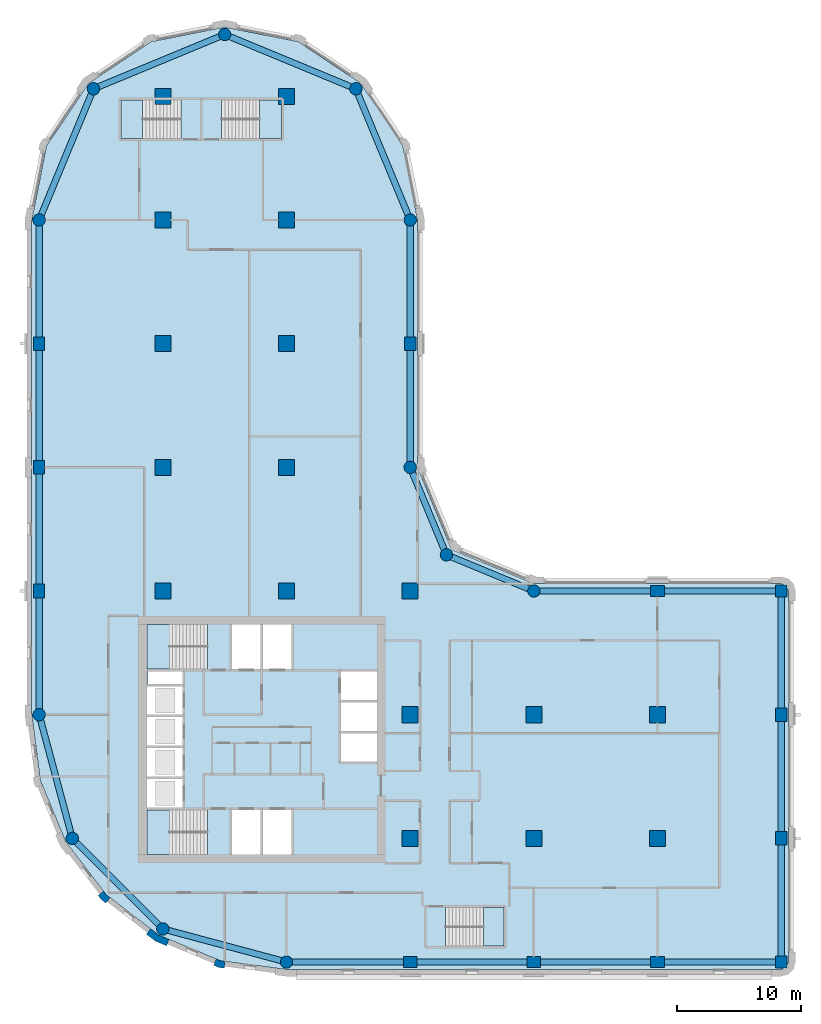
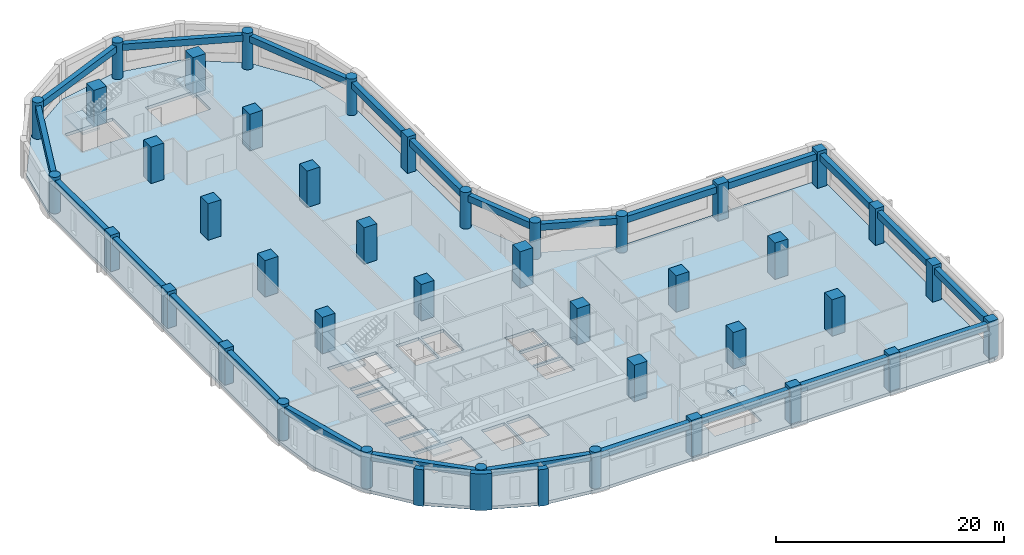
# One storey, part 1 of 9: 41 columns, 24 beams, 6 slabs, 3 walls, 5 elements without a shape of their own.
"""IFC4 building model written with IfcOpenShell, lengths in metres."""

from ifc_helpers import new_model, si_unit, direction, frame, origin, origin_2d, place, context, subcontext, project, spatial, polyline, rectangle, circle, outline, extrude, material, layer, layer_set, material_profile, profile_set, type_object, element, aggregate, save


model = new_model("IFC4")

# Units and contexts
model_context = context("Model", 3, precision=1e-05, world=origin(), true_north=direction((0.0, 1.0)))
body_context = subcontext(model_context, "Body", "Model", "MODEL_VIEW")
ifc_project = project(units=[si_unit("LENGTHUNIT", "METRE"), si_unit("AREAUNIT", "SQUARE_METRE"), si_unit("VOLUMEUNIT", "CUBIC_METRE"), si_unit("PLANEANGLEUNIT", "RADIAN"), si_unit("MASSUNIT", "GRAM", prefix="KILO")], contexts=[model_context])

# Site, building, storey
site_placement = place(None, origin())
site = spatial("IfcSite", under=ifc_project, at=site_placement, CompositionType="ELEMENT")
building_placement = place(site_placement, origin())
building = spatial("IfcBuilding", under=site, at=building_placement, Name="Qaws Garden Tower", CompositionType="ELEMENT")
storey_placement = place(building_placement, frame((0.0, 0.0, 174.60009765625)))
storey = spatial("IfcBuildingStorey", under=building, at=storey_placement, Name="L42", CompositionType="ELEMENT", Elevation=174.60009765625)

# Columns
ifc_material_1 = material(Name="Concrete C70", Category="concrete")
ifc_material_profile_1 = material_profile(ifc_material_1, rectangle(XDim=1.10009765625, YDim=0.89990234375, at=origin_2d()), Name="RC 1100x900")
ifc_profile_set_1 = profile_set([ifc_material_profile_1], Name="Concrete C70")
column_type_1 = type_object("IfcColumnType", Name="Column RC 1100x900 C70", PredefinedType="COLUMN", material=ifc_profile_set_1)
for number, where, z_axis, x_axis, name in (
    (1, (30.0, 0.0, 0.0), (0.0, 0.0, 1.0), (1.0, 0.0, 0.0), "Column L42-002"),
    (2, (40.0, 0.0, 0.0), (0.0, 0.0, 1.0), (1.0, 0.0, 0.0), "Column L42-003"),
    (3, (50.0, 0.0, 0.0), (0.0, 0.0, 1.0), (1.0, 0.0, 0.0), "Column L42-004"),
    (4, (60.0, 10.0, 0.0), (0.0, 0.0, 1.0), (0.0, 1.0, 0.0), "Column L42-006"),
    (5, (60.0, 20.0, 0.0), (0.0, 0.0, 1.0), (0.0, 1.0, 0.0), "Column L42-007"),
    (6, (50.0, 30.0, 0.0), (0.0, 0.0, 1.0), (1.0, 0.0, 0.0), "Column L42-009"),
    (7, (30.0, 50.0, 0.0), (0.0, 0.0, 1.0), (0.0, 1.0, 0.0), "Column L42-013"),
    (8, (0.0, 50.0, 0.0), (0.0, 0.0, 1.0), (0.0, 1.0, 0.0), "Column L42-019"),
    (9, (0.0, 40.0, 0.0), (0.0, 0.0, 1.0), (0.0, 1.0, 0.0), "Column L42-020"),
    (10, (0.0, 30.0, 0.0), (0.0, 0.0, 1.0), (0.0, 1.0, 0.0), "Column L42-021"),
):
    element("IfcColumn", number, at=place(storey_placement, frame(where, z_axis=z_axis, x_axis=x_axis)), inside=storey, type_object=column_type_1, Name=name, PredefinedType="COLUMN", context=body_context, shape_type="SweptSolid", body=[
        extrude(rectangle(XDim=1.10009765625, YDim=0.89990234375, at=origin_2d()), origin(), (0.0, 0.0, 1.0), 3.89990234375),
    ])
ifc_material_2 = material(Name="Concrete C70", Category="concrete")
ifc_material_profile_2 = material_profile(ifc_material_2, rectangle(XDim=1.300048828125, YDim=1.300048828125, at=origin_2d()), Name="RC 1300x1300")
ifc_profile_set_2 = profile_set([ifc_material_profile_2], Name="Concrete C70")
column_type_2 = type_object("IfcColumnType", Name="Column RC 1300x1300 C70", PredefinedType="COLUMN", material=ifc_profile_set_2)
for number, where, z_axis, x_axis, name in (
    (11, (10.0, 30.0, 0.0), (0.0, 0.0, 1.0), (1.0, 0.0, 0.0), "Column L42-025"),
    (12, (10.0, 40.0, 0.0), (0.0, 0.0, 1.0), (1.0, 0.0, 0.0), "Column L42-026"),
    (13, (10.0, 50.0, 0.0), (0.0, 0.0, 1.0), (1.0, 0.0, 0.0), "Column L42-027"),
    (14, (10.0, 60.0, 0.0), (0.0, 0.0, 1.0), (1.0, 0.0, 0.0), "Column L42-028"),
    (15, (10.0, 70.0, 0.0), (0.0, 0.0, 1.0), (1.0, 0.0, 0.0), "Column L42-029"),
    (16, (20.0, 30.0, 0.0), (0.0, 0.0, 1.0), (1.0, 0.0, 0.0), "Column L42-030"),
    (17, (20.0, 40.0, 0.0), (0.0, 0.0, 1.0), (1.0, 0.0, 0.0), "Column L42-031"),
    (18, (20.0, 50.0, 0.0), (0.0, 0.0, 1.0), (1.0, 0.0, 0.0), "Column L42-032"),
    (19, (20.0, 60.0, 0.0), (0.0, 0.0, 1.0), (1.0, 0.0, 0.0), "Column L42-033"),
    (20, (20.0, 70.0, 0.0), (0.0, 0.0, 1.0), (1.0, 0.0, 0.0), "Column L42-034"),
    (21, (30.0, 10.0, 0.0), (0.0, 0.0, 1.0), (1.0, 0.0, 0.0), "Column L42-035"),
    (22, (30.0, 20.0, 0.0), (0.0, 0.0, 1.0), (1.0, 0.0, 0.0), "Column L42-036"),
    (23, (30.0, 30.0, 0.0), (0.0, 0.0, 1.0), (1.0, 0.0, 0.0), "Column L42-037"),
    (24, (40.0, 10.0, 0.0), (0.0, 0.0, 1.0), (1.0, 0.0, 0.0), "Column L42-038"),
    (25, (40.0, 20.0, 0.0), (0.0, 0.0, 1.0), (1.0, 0.0, 0.0), "Column L42-039"),
    (26, (50.0, 10.0, 0.0), (0.0, 0.0, 1.0), (1.0, 0.0, 0.0), "Column L42-040"),
    (27, (50.0, 20.0, 0.0), (0.0, 0.0, 1.0), (1.0, 0.0, 0.0), "Column L42-041"),
):
    element("IfcColumn", number, at=place(storey_placement, frame(where, z_axis=z_axis, x_axis=x_axis)), inside=storey, type_object=column_type_2, Name=name, PredefinedType="COLUMN", context=body_context, shape_type="SweptSolid", body=[
        extrude(rectangle(XDim=1.300048828125, YDim=1.300048828125, at=origin_2d()), origin(), (0.0, 0.0, 1.0), 3.89990234375),
    ])
ifc_material_3 = material(Name="Concrete C70", Category="concrete")
ifc_material_profile_3 = material_profile(ifc_material_3, rectangle(XDim=0.949951171875, YDim=0.949951171875, at=origin_2d()), Name="RC 950x950")
ifc_profile_set_3 = profile_set([ifc_material_profile_3], Name="Concrete C70")
column_type_3 = type_object("IfcColumnType", Name="Column RC 950x950 C70", PredefinedType="COLUMN", material=ifc_profile_set_3)
for number, where, z_axis, x_axis, name in (
    (28, (60.0, 0.0, 0.0), (0.0, 0.0, 1.0), (1.0, 0.0, 0.0), "Column L42-005"),
    (29, (60.0, 30.0, 0.0), (0.0, 0.0, 1.0), (1.0, 0.0, 0.0), "Column L42-008"),
):
    element("IfcColumn", number, at=place(storey_placement, frame(where, z_axis=z_axis, x_axis=x_axis)), inside=storey, type_object=column_type_3, Name=name, PredefinedType="COLUMN", context=body_context, shape_type="SweptSolid", body=[
        extrude(rectangle(XDim=0.949951171875, YDim=0.949951171875, at=origin_2d()), origin(), (0.0, 0.0, 1.0), 3.89990234375),
    ])
ifc_material_4 = material(Name="Concrete C70", Category="concrete")
ifc_material_profile_4 = material_profile(ifc_material_4, circle(Radius=0.5, at=origin_2d()), Name="RC D1000")
ifc_profile_set_4 = profile_set([ifc_material_profile_4], Name="Concrete C70")
column_type_4 = type_object("IfcColumnType", Name="Column RC D1000 C70", PredefinedType="COLUMN", material=ifc_profile_set_4)
for number, where, z_axis, x_axis, name in (
    (30, (20.0, 0.0, 0.0), (0.0, 0.0, 1.0), (1.0, 0.0, 0.0), "Column L42-001"),
    (31, (40.0, 30.0, 0.0), (0.0, 0.0, 1.0), (1.0, 0.0, 0.0), "Column L42-010"),
    (32, (32.928955078125, 32.928955078125, 0.0), (0.0, 0.0, 1.0), (1.0, 0.0, 0.0), "Column L42-011"),
    (33, (30.0, 40.0, 0.0), (0.0, 0.0, 1.0), (1.0, 0.0, 0.0), "Column L42-012"),
    (34, (30.0, 60.0, 0.0), (0.0, 0.0, 1.0), (1.0, 0.0, 0.0), "Column L42-014"),
    (35, (25.606689453125, 70.606689453125, 0.0), (0.0, 0.0, 1.0), (1.0, 0.0, 0.0), "Column L42-015"),
    (36, (15.0, 75.0, 0.0), (0.0, 0.0, 1.0), (1.0, 0.0, 0.0), "Column L42-016"),
    (37, (4.393310546875, 70.606689453125, 0.0), (0.0, 0.0, 1.0), (1.0, 0.0, 0.0), "Column L42-017"),
    (38, (0.0, 60.0, 0.0), (0.0, 0.0, 1.0), (1.0, 0.0, 0.0), "Column L42-018"),
    (39, (0.0, 20.0, 0.0), (0.0, 0.0, 1.0), (1.0, 0.0, 0.0), "Column L42-022"),
    (40, (2.679443359375, 10.0, 0.0), (0.0, 0.0, 1.0), (1.0, 0.0, 0.0), "Column L42-023"),
    (41, (10.0, 2.679443359375, 0.0), (0.0, 0.0, 1.0), (1.0, 0.0, 0.0), "Column L42-024"),
):
    element("IfcColumn", number, at=place(storey_placement, frame(where, z_axis=z_axis, x_axis=x_axis)), inside=storey, type_object=column_type_4, Name=name, PredefinedType="COLUMN", context=body_context, shape_type="SweptSolid", body=[
        extrude(circle(Radius=0.5, at=origin_2d()), origin(), (0.0, 0.0, 1.0), 3.89990234375),
    ])

# Beams
ifc_material_5 = material(Name="Concrete C45", Category="concrete")
ifc_material_profile_5 = material_profile(ifc_material_5, rectangle(XDim=0.5, YDim=0.699951171875, at=origin_2d()), Name="RC 500x700")
ifc_profile_set_5 = profile_set([ifc_material_profile_5], Name="Concrete C45")
beam_type = type_object("IfcBeamType", Name="Spandrel beam RC 500x700 C45", PredefinedType="SPANDREL", material=ifc_profile_set_5)
for number, where, z_axis, x_axis, name in (
    (42, (20.0, 0.0, 3.22998046875), (1.0, 0.0, 0.0), (0.0, 1.0, 0.0), "Spandrel beam L42-001"),
    (43, (30.0, 0.0, 3.22998046875), (1.0, 0.0, 0.0), (0.0, 1.0, 0.0), "Spandrel beam L42-002"),
    (44, (40.0, 0.0, 3.22998046875), (1.0, 0.0, 0.0), (0.0, 1.0, 0.0), "Spandrel beam L42-003"),
    (45, (50.0, 0.0, 3.22998046875), (1.0, 0.0, 0.0), (0.0, 1.0, 0.0), "Spandrel beam L42-004"),
    (46, (60.0, 0.0, 3.22998046875), (0.0, 1.0, 0.0), (-1.0, 0.0, 0.0), "Spandrel beam L42-005"),
    (47, (60.0, 10.0, 3.22998046875), (0.0, 1.0, 0.0), (-1.0, 0.0, 0.0), "Spandrel beam L42-006"),
    (48, (60.0, 20.0, 3.22998046875), (0.0, 1.0, 0.0), (-1.0, 0.0, 0.0), "Spandrel beam L42-007"),
    (49, (60.0, 30.0, 3.22998046875), (-1.0, 0.0, 0.0), (0.0, -1.0, 0.0), "Spandrel beam L42-008"),
    (50, (50.0, 30.0, 3.22998046875), (-1.0, 0.0, 0.0), (0.0, -1.0, 0.0), "Spandrel beam L42-009"),
):
    element("IfcBeam", number, at=place(storey_placement, frame(where, z_axis=z_axis, x_axis=x_axis)), inside=storey, type_object=beam_type, Name=name, PredefinedType="SPANDREL", context=body_context, shape_type="SweptSolid", body=[
        extrude(rectangle(XDim=0.5, YDim=0.699951171875, at=origin_2d()), origin(), (0.0, 0.0, 1.0), 10.0),
    ])
for number, where, z_axis, x_axis, name in (
    (51, (40.0, 30.0, 3.22998046875), (-0.923878037141, 0.382687042488, 0.0), (-0.382687042488, -0.923878037141, 0.0), "Spandrel beam L42-010"),
    (52, (32.928955078125, 32.928955078125, 3.22998046875), (-0.382687042488, 0.923878037141, 0.0), (-0.923878037141, -0.382687042488, 0.0), "Spandrel beam L42-011"),
):
    element("IfcBeam", number, at=place(storey_placement, frame(where, z_axis=z_axis, x_axis=x_axis)), inside=storey, type_object=beam_type, Name=name, PredefinedType="SPANDREL", context=body_context, shape_type="SweptSolid", body=[
        extrude(rectangle(XDim=0.5, YDim=0.699951171875, at=origin_2d()), origin(), (0.0, 0.0, 1.0), 7.653564453125),
    ])
for number, where, z_axis, x_axis, name in (
    (53, (30.0, 40.0, 3.22998046875), (0.0, 1.0, 0.0), (-1.0, 0.0, 0.0), "Spandrel beam L42-012"),
    (54, (30.0, 50.0, 3.22998046875), (0.0, 1.0, 0.0), (-1.0, 0.0, 0.0), "Spandrel beam L42-013"),
):
    element("IfcBeam", number, at=place(storey_placement, frame(where, z_axis=z_axis, x_axis=x_axis)), inside=storey, type_object=beam_type, Name=name, PredefinedType="SPANDREL", context=body_context, shape_type="SweptSolid", body=[
        extrude(rectangle(XDim=0.5, YDim=0.699951171875, at=origin_2d()), origin(), (0.0, 0.0, 1.0), 10.0),
    ])
for number, where, z_axis, x_axis, name in (
    (55, (30.0, 60.0, 3.22998046875), (-0.382674207535, 0.923883353507, 0.0), (-0.923883353507, -0.382674207535, 0.0), "Spandrel beam L42-014"),
    (56, (25.606689453125, 70.606689453125, 3.22998046875), (-0.923883353507, 0.382674207535, 0.0), (-0.382674207535, -0.923883353507, 0.0), "Spandrel beam L42-015"),
    (57, (15.0, 75.0, 3.22998046875), (-0.923883353507, -0.382674207535, 0.0), (0.382674207535, -0.923883353507, 0.0), "Spandrel beam L42-016"),
    (58, (4.393310546875, 70.606689453125, 3.22998046875), (-0.382674207535, -0.923883353507, 0.0), (0.923883353507, -0.382674207535, 0.0), "Spandrel beam L42-017"),
):
    element("IfcBeam", number, at=place(storey_placement, frame(where, z_axis=z_axis, x_axis=x_axis)), inside=storey, type_object=beam_type, Name=name, PredefinedType="SPANDREL", context=body_context, shape_type="SweptSolid", body=[
        extrude(rectangle(XDim=0.5, YDim=0.699951171875, at=origin_2d()), origin(), (0.0, 0.0, 1.0), 11.48046875),
    ])
for number, where, z_axis, x_axis, name in (
    (59, (0.0, 60.0, 3.22998046875), (0.0, -1.0, 0.0), (1.0, 0.0, 0.0), "Spandrel beam L42-018"),
    (60, (0.0, 50.0, 3.22998046875), (0.0, -1.0, 0.0), (1.0, 0.0, 0.0), "Spandrel beam L42-019"),
    (61, (0.0, 40.0, 3.22998046875), (0.0, -1.0, 0.0), (1.0, 0.0, 0.0), "Spandrel beam L42-020"),
    (62, (0.0, 30.0, 3.22998046875), (0.0, -1.0, 0.0), (1.0, 0.0, 0.0), "Spandrel beam L42-021"),
):
    element("IfcBeam", number, at=place(storey_placement, frame(where, z_axis=z_axis, x_axis=x_axis)), inside=storey, type_object=beam_type, Name=name, PredefinedType="SPANDREL", context=body_context, shape_type="SweptSolid", body=[
        extrude(rectangle(XDim=0.5, YDim=0.699951171875, at=origin_2d()), origin(), (0.0, 0.0, 1.0), 10.0),
    ])
for number, where, z_axis, x_axis, name in (
    (63, (0.0, 20.0, 3.22998046875), (0.25881466832, -0.965926999034, 0.0), (0.965926999034, 0.25881466832, 0.0), "Spandrel beam L42-022"),
    (64, (2.679443359375, 10.0, 3.22998046875), (0.707106781187, -0.707106781187, 0.0), (0.707106781187, 0.707106781187, 0.0), "Spandrel beam L42-023"),
    (65, (10.0, 2.679443359375, 3.22998046875), (0.965926999034, -0.25881466832, 0.0), (0.25881466832, 0.965926999034, 0.0), "Spandrel beam L42-024"),
):
    element("IfcBeam", number, at=place(storey_placement, frame(where, z_axis=z_axis, x_axis=x_axis)), inside=storey, type_object=beam_type, Name=name, PredefinedType="SPANDREL", context=body_context, shape_type="SweptSolid", body=[
        extrude(rectangle(XDim=0.5, YDim=0.699951171875, at=origin_2d()), origin(), (0.0, 0.0, 1.0), 10.352783203125),
    ])

# Slab
ifc_material_6 = material(Name="Concrete C40", Category="concrete")
ifc_layer_1 = layer(ifc_material_6, 0.320068359375)
ifc_layer_set_1 = layer_set([ifc_layer_1], Name="Concrete C40")
slab_type_1 = type_object("IfcSlabType", Name="Floor slab 320 C40", PredefinedType="FLOOR", material=ifc_layer_set_1)
slab_1_placement = place(storey_placement, frame((0.0, 0.0, -0.320068359375)))
element("IfcSlab", 66, at=slab_1_placement, inside=storey, type_object=slab_type_1, Name="Floor slab L42", PredefinedType="FLOOR", context=body_context, shape_type="SweptSolid", body=[
    extrude(outline(polyline([(0.101806640625, 14.668212890625), (-0.60009765625, 20.0), (-0.60009765625, 30.60009765625), (-0.60009765625, 60.0), (-0.60009765625, 60.0), (0.58740234375, 65.969970703125), (3.968994140625, 71.031005859375), (9.030029296875, 74.41259765625), (15.0, 75.60009765625), (20.969970703125, 74.41259765625), (26.031005859375, 71.031005859375), (29.41259765625, 65.969970703125), (30.60009765625, 60.0), (30.60009765625, 40.0), (33.353271484375, 33.353271484375), (40.0, 30.60009765625), (60.0, 30.60009765625), (60.42431640625, 30.42431640625), (60.60009765625, 30.0), (60.60009765625, 0.0), (60.42431640625, -0.42431640625), (60.0, -0.60009765625), (30.60009765625, -0.60009765625), (20.0, -0.60009765625), (14.668212890625, 0.101806640625), (9.699951171875, 2.159912109375), (5.43359375, 5.43359375), (2.159912109375, 9.699951171875), (0.101806640625, 14.668212890625)]), holes=[polyline([(13.599609375, 12.300048828125), (8.699951171875, 12.300048828125), (8.699951171875, 8.699951171875), (13.599609375, 8.699951171875), (13.599609375, 12.300048828125)]), polyline([(17.89990234375, 12.300048828125), (15.60009765625, 12.300048828125), (15.60009765625, 8.699951171875), (17.89990234375, 8.699951171875), (17.89990234375, 12.300048828125)]), polyline([(11.60009765625, 14.800048828125), (8.699951171875, 14.800048828125), (8.699951171875, 12.5), (11.60009765625, 12.5), (11.60009765625, 14.800048828125)]), polyline([(11.60009765625, 17.300048828125), (8.699951171875, 17.300048828125), (8.699951171875, 15.0), (11.60009765625, 15.0), (11.60009765625, 17.300048828125)]), polyline([(11.60009765625, 19.800048828125), (8.699951171875, 19.800048828125), (8.699951171875, 17.5), (11.60009765625, 17.5), (11.60009765625, 19.800048828125)]), polyline([(11.60009765625, 22.300048828125), (8.699951171875, 22.300048828125), (8.699951171875, 20.0), (11.60009765625, 20.0), (11.60009765625, 22.300048828125)]), polyline([(11.60009765625, 23.5), (8.800048828125, 23.5), (8.800048828125, 22.5), (11.60009765625, 22.5), (11.60009765625, 23.5)]), polyline([(13.599609375, 27.300048828125), (8.699951171875, 27.300048828125), (8.699951171875, 23.699951171875), (13.599609375, 23.699951171875), (13.599609375, 27.300048828125)]), polyline([(11.449462890625, 69.699951171875), (6.60009765625, 69.699951171875), (6.60009765625, 66.60009765625), (11.449462890625, 66.60009765625), (11.449462890625, 69.699951171875)]), polyline([(37.60009765625, 4.39990234375), (32.8505859375, 4.39990234375), (32.8505859375, 1.300048828125), (37.60009765625, 1.300048828125), (37.60009765625, 4.39990234375)]), polyline([(20.39990234375, 12.300048828125), (18.10009765625, 12.300048828125), (18.10009765625, 8.699951171875), (20.39990234375, 8.699951171875), (20.39990234375, 12.300048828125)]), polyline([(27.300048828125, 18.5), (24.39990234375, 18.5), (24.39990234375, 16.199951171875), (27.300048828125, 16.199951171875), (27.300048828125, 18.5)]), polyline([(27.300048828125, 21.0), (24.39990234375, 21.0), (24.39990234375, 18.699951171875), (27.300048828125, 18.699951171875), (27.300048828125, 21.0)]), polyline([(27.300048828125, 23.5), (24.39990234375, 23.5), (24.39990234375, 21.199951171875), (27.300048828125, 21.199951171875), (27.300048828125, 23.5)]), polyline([(17.89990234375, 27.300048828125), (15.60009765625, 27.300048828125), (15.60009765625, 23.699951171875), (17.89990234375, 23.699951171875), (17.89990234375, 27.300048828125)]), polyline([(20.39990234375, 23.699951171875), (20.39990234375, 27.300048828125), (18.10009765625, 27.300048828125), (18.10009765625, 23.699951171875), (20.39990234375, 23.699951171875)]), polyline([(19.60009765625, 66.60009765625), (19.60009765625, 69.699951171875), (14.75048828125, 69.699951171875), (14.75048828125, 66.60009765625), (19.60009765625, 66.60009765625)])]), origin(), (0.0, 0.0, 1.0), 0.320068359375),
])

# Stair, slab
ifc_material_7 = material(Name="Concrete C40", Category="concrete")
stair_type_1 = type_object("IfcStairType", Name="Exit stair 1500", PredefinedType="HALF_TURN_STAIR", material=ifc_material_7)
placement_1 = place(storey_placement, origin())
stair_1 = element("IfcStair", 67, at=placement_1, inside=storey, type_object=stair_type_1, Name="Stair 1", PredefinedType="HALF_TURN_STAIR")
ifc_material_8 = material(Name="Concrete C40", Category="concrete")
ifc_layer_2 = layer(ifc_material_8, 0.199951171875)
ifc_layer_set_2 = layer_set([ifc_layer_2], Name="Concrete C40")
slab_type_2 = type_object("IfcSlabType", Name="Stair landing 200", PredefinedType="LANDING", material=ifc_layer_set_2)
placement_2 = place(storey_placement, frame((0.0, 0.0, 1.75)))
slab_2 = element("IfcSlab", 68, at=placement_2, type_object=slab_type_2, Name="ST1 landing 1", PredefinedType="LANDING", context=body_context, shape_type="SweptSolid", body=[
    extrude(outline(polyline([(8.699951171875, 8.699951171875), (10.52001953125, 8.699951171875), (10.52001953125, 12.300048828125), (8.699951171875, 12.300048828125), (8.699951171875, 8.699951171875)])), origin(), (0.0, 0.0, 1.0), 0.199951171875),
])
aggregate(stair_1, [slab_2])

stair_2 = element("IfcStair", 69, at=placement_1, inside=storey, type_object=stair_type_1, Name="Stair 4", PredefinedType="HALF_TURN_STAIR")
slab_3 = element("IfcSlab", 70, at=placement_2, type_object=slab_type_2, Name="ST4 landing 1", PredefinedType="LANDING", context=body_context, shape_type="SweptSolid", body=[
    extrude(outline(polyline([(8.699951171875, 23.699951171875), (10.52001953125, 23.699951171875), (10.52001953125, 27.300048828125), (8.699951171875, 27.300048828125), (8.699951171875, 23.699951171875)])), origin(), (0.0, 0.0, 1.0), 0.199951171875),
])
aggregate(stair_2, [slab_3])

ifc_material_9 = material(Name="Concrete C40", Category="concrete")
stair_type_2 = type_object("IfcStairType", Name="Exit stair 1350", PredefinedType="HALF_TURN_STAIR", material=ifc_material_9)
stair_3 = element("IfcStair", 71, at=placement_1, inside=storey, type_object=stair_type_2, Name="Stair 5", PredefinedType="HALF_TURN_STAIR")
slab_4 = element("IfcSlab", 72, at=placement_2, type_object=slab_type_2, Name="ST5 landing 1", PredefinedType="LANDING", context=body_context, shape_type="SweptSolid", body=[
    extrude(outline(polyline([(35.929931640625, 1.300048828125), (37.60009765625, 1.300048828125), (37.60009765625, 4.39990234375), (35.929931640625, 4.39990234375), (35.929931640625, 1.300048828125)])), origin(), (0.0, 0.0, 1.0), 0.199951171875),
])
aggregate(stair_3, [slab_4])

stair_4 = element("IfcStair", 73, at=placement_1, inside=storey, type_object=stair_type_2, Name="Stair 6", PredefinedType="HALF_TURN_STAIR")
slab_5 = element("IfcSlab", 74, at=placement_2, type_object=slab_type_2, Name="ST6 landing 1", PredefinedType="LANDING", context=body_context, shape_type="SweptSolid", body=[
    extrude(outline(polyline([(6.60009765625, 66.60009765625), (8.3701171875, 66.60009765625), (8.3701171875, 69.699951171875), (6.60009765625, 69.699951171875), (6.60009765625, 66.60009765625)])), origin(), (0.0, 0.0, 1.0), 0.199951171875),
])
aggregate(stair_4, [slab_5])

stair_5 = element("IfcStair", 75, at=placement_1, inside=storey, type_object=stair_type_2, Name="Stair 7", PredefinedType="HALF_TURN_STAIR")
slab_6 = element("IfcSlab", 76, at=placement_2, type_object=slab_type_2, Name="ST7 landing 1", PredefinedType="LANDING", context=body_context, shape_type="SweptSolid", body=[
    extrude(outline(polyline([(17.830078125, 66.60009765625), (19.60009765625, 66.60009765625), (19.60009765625, 69.699951171875), (17.830078125, 69.699951171875), (17.830078125, 66.60009765625)])), origin(), (0.0, 0.0, 1.0), 0.199951171875),
])
aggregate(stair_5, [slab_6])

# Walls
ifc_material_10 = material(Name="Clay facing brick masonry", Category="masonry")
ifc_layer_3 = layer(ifc_material_10, 0.550048828125)
ifc_layer_set_3 = layer_set([ifc_layer_3], Name="Clay facing brick masonry")
wall_type_1 = type_object("IfcWallType", Name="Brick kink pier 550 x 600", PredefinedType="SOLIDWALL", material=ifc_layer_set_3)
element("IfcWall", 77, at=placement_1, inside=storey, type_object=wall_type_1, Name="E-L42-pier-28", PredefinedType="SOLIDWALL", context=body_context, shape_type="SweptSolid", body=[
    extrude(outline(polyline([(4.8818359375, 5.487060546875), (4.762939453125, 5.395751953125), (5.03759765625, 5.03759765625), (5.395751953125, 4.762939453125), (5.487060546875, 4.8818359375), (5.730712890625, 5.19921875), (5.429931640625, 5.429931640625), (5.19921875, 5.730712890625), (4.8818359375, 5.487060546875)])), origin(), (0.0, 0.0, 1.0), 3.89990234375),
])
element("IfcWall", 78, at=placement_1, inside=storey, type_object=wall_type_1, Name="E-L42-pier-30", PredefinedType="SOLIDWALL", context=body_context, shape_type="SweptSolid", body=[
    extrude(outline(polyline([(14.163818359375, -0.127685546875), (14.1064453125, -0.26611328125), (14.5234375, -0.43896484375), (14.970947265625, -0.497802734375), (14.990478515625, -0.34912109375), (15.042724609375, 0.04736328125), (14.6669921875, 0.096923828125), (14.31689453125, 0.241943359375), (14.163818359375, -0.127685546875)])), origin(), (0.0, 0.0, 1.0), 3.89990234375),
])
ifc_material_11 = material(Name="Clay facing brick masonry", Category="masonry")
ifc_layer_4 = layer(ifc_material_11, 0.550048828125)
ifc_layer_set_4 = layer_set([ifc_layer_4], Name="Clay facing brick masonry")
wall_type_2 = type_object("IfcWallType", Name="Brick pier 550 x 1600", PredefinedType="SOLIDWALL", material=ifc_layer_set_4)
element("IfcWall", 79, at=placement_1, inside=storey, type_object=wall_type_2, Name="E-L42-pier-29", PredefinedType="SOLIDWALL", context=body_context, shape_type="SweptSolid", body=[
    extrude(outline(polyline([(8.756591796875, 2.373046875), (8.665283203125, 2.254150390625), (9.419921875, 1.675048828125), (10.299072265625, 1.310791015625), (10.3564453125, 1.449462890625), (10.509521484375, 1.819091796875), (9.697509765625, 2.1552734375), (9.0, 2.6904296875), (8.756591796875, 2.373046875)])), origin(), (0.0, 0.0, 1.0), 3.89990234375),
])

save(model, "model.ifc")
